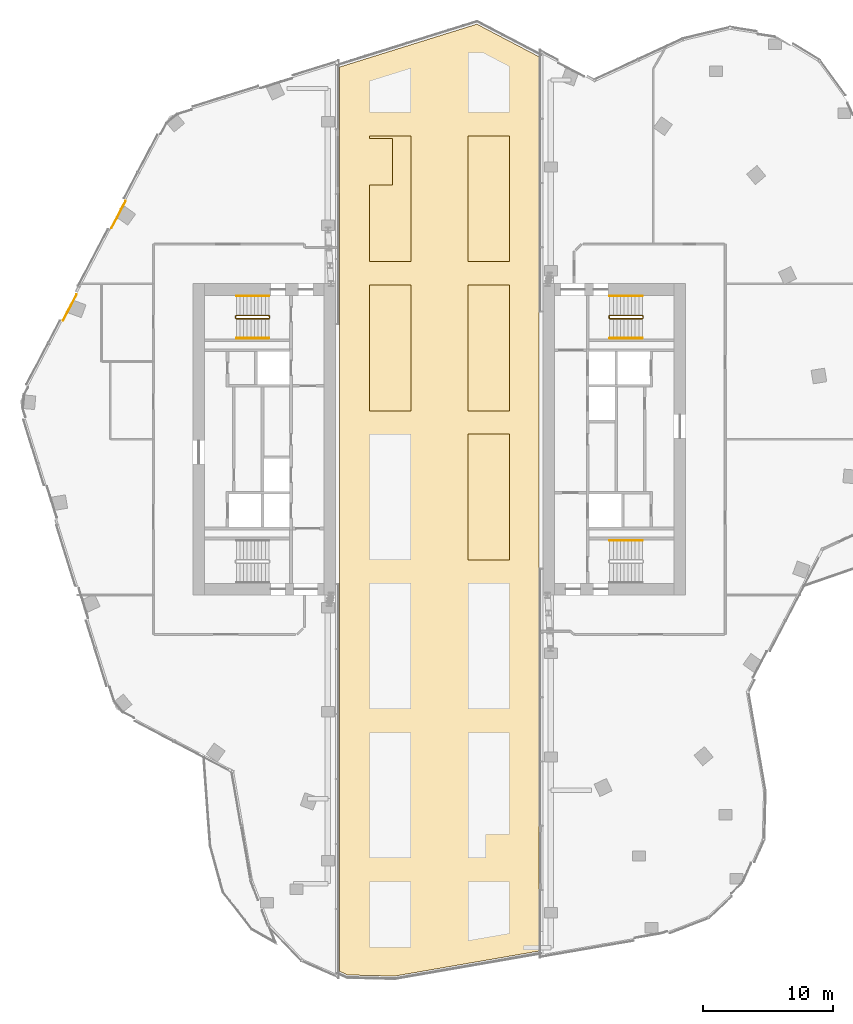
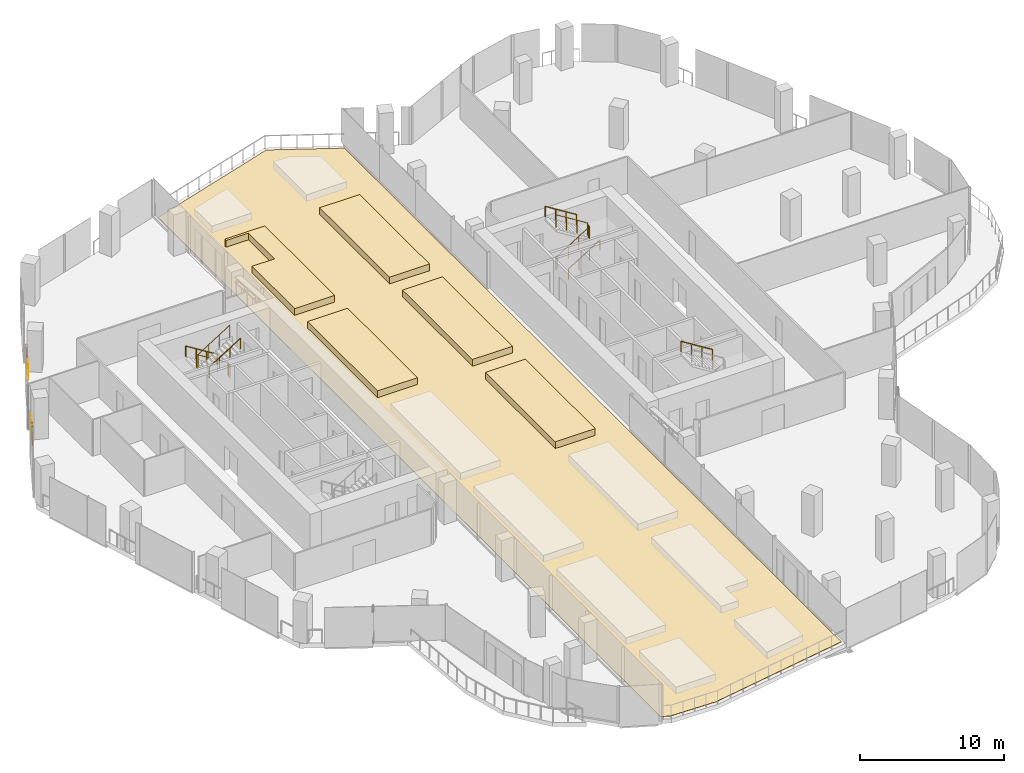
# One storey, part 24 of 26: 11 railings, 6 coverings.
"""IFC4 building model written with IfcOpenShell, lengths in metres."""

from ifc_helpers import new_model, si_unit, direction, frame, origin, origin_2d, place, context, subcontext, project, spatial, polyline, circle, outline, extrude, material, layer, layer_set, type_object, element, save


model = new_model("IFC4")

# Units and contexts
model_context = context("Model", 3, precision=1e-05, world=origin(), true_north=direction((0.0, 1.0)))
body_context = subcontext(model_context, "Body", "Model", "MODEL_VIEW")
ifc_project = project(units=[si_unit("LENGTHUNIT", "METRE"), si_unit("AREAUNIT", "SQUARE_METRE"), si_unit("VOLUMEUNIT", "CUBIC_METRE"), si_unit("PLANEANGLEUNIT", "RADIAN"), si_unit("MASSUNIT", "GRAM", prefix="KILO")], contexts=[model_context])

# Site, building, storey
site_placement = place(None, origin())
site = spatial("IfcSite", under=ifc_project, at=site_placement, CompositionType="ELEMENT")
building_placement = place(site_placement, origin())
building = spatial("IfcBuilding", under=site, at=building_placement, Name="Orlundy Tower", CompositionType="ELEMENT")
storey_placement = place(building_placement, frame((0.0, 0.0, 253.5)))
storey = spatial("IfcBuildingStorey", under=building, at=storey_placement, Name="L67", CompositionType="ELEMENT", Elevation=253.5)

# Coverings
ifc_material_1 = material(Name="Porcelain paving")
ifc_layer_1 = layer(ifc_material_1, 0.030029296875)
ifc_layer_set_1 = layer_set([ifc_layer_1], Name="Deck paving")
covering_type_1 = type_object("IfcCoveringType", Name="Deck paving", PredefinedType="FLOORING", material=ifc_layer_set_1)
covering_1_placement = place(storey_placement, origin())
element("IfcCovering", 1, at=covering_1_placement, inside=storey, type_object=covering_type_1, Name="Deck paving", PredefinedType="FLOORING", context=body_context, shape_type="SweptSolid", body=[
    extrude(outline(polyline([(7.699951171875, 29.498046875), (7.699951171875, -39.465087890625), (-3.450927734375, -41.39697265625), (-7.068115234375, -41.30908203125), (-7.699951171875, -41.028076171875), (-7.699951171875, 28.708984375), (2.89501953125, 32.01708984375), (7.699951171875, 29.498046875)])), origin(), (0.0, 0.0, 1.0), 0.030029296875),
])
ifc_material_2 = material(Name="Planted soil in precast concrete trough", Category="concrete")
ifc_layer_2 = layer(ifc_material_2, 0.60009765625)
ifc_layer_set_2 = layer_set([ifc_layer_2], Name="PLANTER box")
covering_type_2 = type_object("IfcCoveringType", Name="PLANTER box", PredefinedType="USERDEFINED", material=ifc_layer_set_2)
covering_2_placement = place(storey_placement, origin())
element("IfcCovering", 2, at=covering_2_placement, inside=storey, type_object=covering_type_2, Name="PLANTER L67-24", ObjectType="PLANTER", PredefinedType="USERDEFINED", context=body_context, shape_type="SweptSolid", body=[
    extrude(outline(polyline([(-5.39990234375, 11.902099609375), (-2.199951171875, 11.902099609375), (-2.199951171875, 2.201904296875), (-5.39990234375, 2.201904296875), (-5.39990234375, 11.902099609375)])), origin(), (0.0, 0.0, 1.0), 0.60009765625),
])
covering_3_placement = place(storey_placement, origin())
element("IfcCovering", 3, at=covering_3_placement, inside=storey, type_object=covering_type_2, Name="PLANTER L67-25", ObjectType="PLANTER", PredefinedType="USERDEFINED", context=body_context, shape_type="SweptSolid", body=[
    extrude(outline(polyline([(-5.39990234375, 19.614013671875), (-3.610107421875, 19.614013671875), (-3.610107421875, 23.214111328125), (-5.39990234375, 23.214111328125), (-5.39990234375, 23.402099609375), (-2.199951171875, 23.402099609375), (-2.199951171875, 13.701904296875), (-5.39990234375, 13.701904296875), (-5.39990234375, 19.614013671875)])), origin(), (0.0, 0.0, 1.0), 0.60009765625),
])
covering_4_placement = place(storey_placement, origin())
element("IfcCovering", 4, at=covering_4_placement, inside=storey, type_object=covering_type_2, Name="PLANTER L67-210", ObjectType="PLANTER", PredefinedType="USERDEFINED", context=body_context, shape_type="SweptSolid", body=[
    extrude(outline(polyline([(2.199951171875, 0.402099609375), (5.39990234375, 0.402099609375), (5.39990234375, -9.298095703125), (2.199951171875, -9.298095703125), (2.199951171875, 0.402099609375)])), origin(), (0.0, 0.0, 1.0), 0.60009765625),
])
covering_5_placement = place(storey_placement, origin())
element("IfcCovering", 5, at=covering_5_placement, inside=storey, type_object=covering_type_2, Name="PLANTER L67-211", ObjectType="PLANTER", PredefinedType="USERDEFINED", context=body_context, shape_type="SweptSolid", body=[
    extrude(outline(polyline([(2.199951171875, 11.902099609375), (5.39990234375, 11.902099609375), (5.39990234375, 2.201904296875), (2.199951171875, 2.201904296875), (2.199951171875, 11.902099609375)])), origin(), (0.0, 0.0, 1.0), 0.60009765625),
])
covering_6_placement = place(storey_placement, origin())
element("IfcCovering", 6, at=covering_6_placement, inside=storey, type_object=covering_type_2, Name="PLANTER L67-212", ObjectType="PLANTER", PredefinedType="USERDEFINED", context=body_context, shape_type="SweptSolid", body=[
    extrude(outline(polyline([(2.199951171875, 23.402099609375), (5.39990234375, 23.402099609375), (5.39990234375, 13.701904296875), (2.199951171875, 13.701904296875), (2.199951171875, 23.402099609375)])), origin(), (0.0, 0.0, 1.0), 0.60009765625),
])

# Railings
ifc_material_3 = material(Name="Steel balustrade", Category="steel")
railing_type_1 = type_object("IfcRailingType", Name="Stair Guard 1100", PredefinedType="GUARDRAIL", material=ifc_material_3)
railing_1_placement = place(storey_placement, frame((-13.090087890625, 9.5, 0.0)))
element("IfcRailing", 7, at=railing_1_placement, inside=storey, type_object=railing_type_1, Name="L67 ST-W1 stair guard 1", PredefinedType="GUARDRAIL", context=body_context, shape_type="SweptSolid", body=[
    extrude(circle(Radius=0.02392578125, at=origin_2d()), frame((0.0, 0.0, 1.076171875), z_axis=(0.0, -1.0, 0.0), x_axis=(1.0, 0.0, 0.0)), (0.0, 0.0, 1.0), 0.14990234375),
    extrude(circle(Radius=0.02392578125, at=origin_2d()), frame((0.0, -0.14990234375, 1.076171875), z_axis=(-0.18420542264, 0.739530593833, 0.647427882513), x_axis=(-0.970351222016, -0.241699205484, 0.0)), (0.0, 0.0, 1.0), 0.270263671875),
    extrude(circle(Radius=0.02392578125, at=origin_2d()), frame((-0.0498046875, 0.050048828125, 1.2509765625), z_axis=(-0.848007534815, 0.0, 0.529984170421), x_axis=(0.0, -1.0, 0.0)), (0.0, 0.0, 1.0), 2.9716796875),
    extrude(circle(Radius=0.02392578125, at=origin_2d()), frame((-2.56982421875, 0.050048828125, 2.826171875), z_axis=(-0.707106781187, -0.707106781187, 0.0), x_axis=(0.707106781187, -0.707106781187, 0.0)), (0.0, 0.0, 1.0), 0.07080078125),
    extrude(circle(Radius=0.02392578125, at=origin_2d()), frame((-2.619873046875, 0.0, 2.826171875), z_axis=(0.0, -1.0, 0.0), x_axis=(1.0, 0.0, 0.0)), (0.0, 0.0, 1.0), 0.14990234375),
    extrude(circle(Radius=0.02392578125, at=origin_2d()), frame((-2.619873046875, -0.14990234375, 2.826171875), z_axis=(0.265065253269, -0.265065253269, 0.927081885822), x_axis=(0.707106781187, 0.707106781187, 0.0)), (0.0, 0.0, 1.0), 0.188720703125),
    extrude(circle(Radius=0.02392578125, at=origin_2d()), frame((-2.56982421875, -0.199951171875, 3.0009765625), z_axis=(0.848007534815, 0.0, 0.529984170421), x_axis=(0.0, 1.0, 0.0)), (0.0, 0.0, 1.0), 2.9716796875),
    extrude(circle(Radius=0.02099609375, at=origin_2d()), origin(), (0.0, 0.0, 1.0), 1.052001953125),
    extrude(circle(Radius=0.02099609375, at=origin_2d()), frame((0.0, -0.14990234375, 0.0)), (0.0, 0.0, 1.0), 1.052001953125),
    extrude(circle(Radius=0.02099609375, at=origin_2d()), frame((-0.0498046875, 0.050048828125, 0.175048828125)), (0.0, 0.0, 1.0), 1.052001953125),
    extrude(circle(Radius=0.02099609375, at=origin_2d()), frame((-0.889892578125, 0.050048828125, 0.699951171875)), (0.0, 0.0, 1.0), 1.052001953125),
    extrude(circle(Radius=0.02099609375, at=origin_2d()), frame((-1.729736328125, 0.050048828125, 1.22509765625)), (0.0, 0.0, 1.0), 1.052001953125),
    extrude(circle(Radius=0.02099609375, at=origin_2d()), frame((-2.56982421875, 0.050048828125, 1.75)), (0.0, 0.0, 1.0), 1.052001953125),
    extrude(circle(Radius=0.02099609375, at=origin_2d()), frame((-2.619873046875, 0.0, 1.75)), (0.0, 0.0, 1.0), 1.052001953125),
    extrude(circle(Radius=0.02099609375, at=origin_2d()), frame((-2.619873046875, -0.14990234375, 1.75)), (0.0, 0.0, 1.0), 1.052001953125),
    extrude(circle(Radius=0.02099609375, at=origin_2d()), frame((-2.56982421875, -0.199951171875, 1.925048828125)), (0.0, 0.0, 1.0), 1.052001953125),
    extrude(circle(Radius=0.02099609375, at=origin_2d()), frame((-1.729736328125, -0.199951171875, 2.449951171875)), (0.0, 0.0, 1.0), 1.052001953125),
    extrude(circle(Radius=0.02099609375, at=origin_2d()), frame((-0.889892578125, -0.199951171875, 2.97509765625)), (0.0, 0.0, 1.0), 1.052001953125),
    extrude(circle(Radius=0.02099609375, at=origin_2d()), frame((-0.0498046875, -0.199951171875, 3.5)), (0.0, 0.0, 1.0), 1.052001953125),
])
railing_2_placement = place(storey_placement, frame((13.090087890625, 9.35009765625, 0.0)))
element("IfcRailing", 8, at=railing_2_placement, inside=storey, type_object=railing_type_1, Name="L67 ST-E2 stair guard 1", PredefinedType="GUARDRAIL", context=body_context, shape_type="SweptSolid", body=[
    extrude(circle(Radius=0.02392578125, at=origin_2d()), frame((0.0, 0.0, 1.076171875), z_axis=(0.0, 1.0, 0.0), x_axis=(-1.0, 0.0, 0.0)), (0.0, 0.0, 1.0), 0.14990234375),
    extrude(circle(Radius=0.02392578125, at=origin_2d()), frame((0.0, 0.14990234375, 1.076171875), z_axis=(0.18420542264, -0.739530593833, 0.647427882513), x_axis=(0.970351222016, 0.241699205484, 0.0)), (0.0, 0.0, 1.0), 0.270263671875),
    extrude(circle(Radius=0.02392578125, at=origin_2d()), frame((0.0498046875, -0.050048828125, 1.2509765625), z_axis=(0.848007534815, 0.0, 0.529984170421), x_axis=(0.0, 1.0, 0.0)), (0.0, 0.0, 1.0), 2.9716796875),
    extrude(circle(Radius=0.02392578125, at=origin_2d()), frame((2.56982421875, -0.050048828125, 2.826171875), z_axis=(0.707106781187, 0.707106781187, 0.0), x_axis=(-0.707106781187, 0.707106781187, 0.0)), (0.0, 0.0, 1.0), 0.07080078125),
    extrude(circle(Radius=0.02392578125, at=origin_2d()), frame((2.619873046875, 0.0, 2.826171875), z_axis=(0.0, 1.0, 0.0), x_axis=(-1.0, 0.0, 0.0)), (0.0, 0.0, 1.0), 0.14990234375),
    extrude(circle(Radius=0.02392578125, at=origin_2d()), frame((2.619873046875, 0.14990234375, 2.826171875), z_axis=(-0.265065253269, 0.265065253269, 0.927081885822), x_axis=(-0.707106781187, -0.707106781187, 0.0)), (0.0, 0.0, 1.0), 0.188720703125),
    extrude(circle(Radius=0.02392578125, at=origin_2d()), frame((2.56982421875, 0.199951171875, 3.0009765625), z_axis=(-0.848007534815, 0.0, 0.529984170421), x_axis=(0.0, -1.0, 0.0)), (0.0, 0.0, 1.0), 2.9716796875),
    extrude(circle(Radius=0.02099609375, at=origin_2d()), origin(), (0.0, 0.0, 1.0), 1.052001953125),
    extrude(circle(Radius=0.02099609375, at=origin_2d()), frame((0.0, 0.14990234375, 0.0)), (0.0, 0.0, 1.0), 1.052001953125),
    extrude(circle(Radius=0.02099609375, at=origin_2d()), frame((0.0498046875, -0.050048828125, 0.175048828125)), (0.0, 0.0, 1.0), 1.052001953125),
    extrude(circle(Radius=0.02099609375, at=origin_2d()), frame((0.889892578125, -0.050048828125, 0.699951171875)), (0.0, 0.0, 1.0), 1.052001953125),
    extrude(circle(Radius=0.02099609375, at=origin_2d()), frame((1.729736328125, -0.050048828125, 1.22509765625)), (0.0, 0.0, 1.0), 1.052001953125),
    extrude(circle(Radius=0.02099609375, at=origin_2d()), frame((2.56982421875, -0.050048828125, 1.75)), (0.0, 0.0, 1.0), 1.052001953125),
    extrude(circle(Radius=0.02099609375, at=origin_2d()), frame((2.619873046875, 0.0, 1.75)), (0.0, 0.0, 1.0), 1.052001953125),
    extrude(circle(Radius=0.02099609375, at=origin_2d()), frame((2.619873046875, 0.14990234375, 1.75)), (0.0, 0.0, 1.0), 1.052001953125),
    extrude(circle(Radius=0.02099609375, at=origin_2d()), frame((2.56982421875, 0.199951171875, 1.925048828125)), (0.0, 0.0, 1.0), 1.052001953125),
    extrude(circle(Radius=0.02099609375, at=origin_2d()), frame((1.729736328125, 0.199951171875, 2.449951171875)), (0.0, 0.0, 1.0), 1.052001953125),
    extrude(circle(Radius=0.02099609375, at=origin_2d()), frame((0.889892578125, 0.199951171875, 2.97509765625)), (0.0, 0.0, 1.0), 1.052001953125),
    extrude(circle(Radius=0.02099609375, at=origin_2d()), frame((0.0498046875, 0.199951171875, 3.5)), (0.0, 0.0, 1.0), 1.052001953125),
])
ifc_material_4 = material(Name="Steel handrail", Category="steel")
railing_type_2 = type_object("IfcRailingType", Name="Stair Handrail 900", PredefinedType="HANDRAIL", material=ifc_material_4)
railing_3_placement = place(storey_placement, frame((-13.139892578125, 11.050048828125, 0.175048828125)))
element("IfcRailing", 9, at=railing_3_placement, inside=storey, type_object=railing_type_2, Name="L67 ST-W1 stair handrail 1", PredefinedType="HANDRAIL", context=body_context, shape_type="SweptSolid", body=[
    extrude(circle(Radius=0.02392578125, at=origin_2d()), frame((0.0, 0.0, 0.8759765625), z_axis=(-0.848007534815, 0.0, 0.529984170421), x_axis=(0.0, -1.0, 0.0)), (0.0, 0.0, 1.0), 2.9716796875),
    extrude(circle(Radius=0.02099609375, at=origin_2d()), origin(), (0.0, 0.0, 1.0), 0.851806640625),
    extrude(circle(Radius=0.02099609375, at=origin_2d()), frame((-0.840087890625, 0.0, 0.52490234375)), (0.0, 0.0, 1.0), 0.851806640625),
    extrude(circle(Radius=0.02099609375, at=origin_2d()), frame((-1.679931640625, 0.0, 1.050048828125)), (0.0, 0.0, 1.0), 0.851806640625),
    extrude(circle(Radius=0.02099609375, at=origin_2d()), frame((-2.52001953125, 0.0, 1.574951171875)), (0.0, 0.0, 1.0), 0.851806640625),
])
railing_4_placement = place(storey_placement, frame((-15.659912109375, 7.800048828125, 1.925048828125)))
element("IfcRailing", 10, at=railing_4_placement, inside=storey, type_object=railing_type_2, Name="L67 ST-W1 stair handrail 2", PredefinedType="HANDRAIL", context=body_context, shape_type="SweptSolid", body=[
    extrude(circle(Radius=0.02392578125, at=origin_2d()), frame((0.0, 0.0, 0.8759765625), z_axis=(0.848007534815, 0.0, 0.529984170421), x_axis=(0.0, 1.0, 0.0)), (0.0, 0.0, 1.0), 2.9716796875),
    extrude(circle(Radius=0.02099609375, at=origin_2d()), origin(), (0.0, 0.0, 1.0), 0.851806640625),
    extrude(circle(Radius=0.02099609375, at=origin_2d()), frame((0.840087890625, 0.0, 0.52490234375)), (0.0, 0.0, 1.0), 0.851806640625),
    extrude(circle(Radius=0.02099609375, at=origin_2d()), frame((1.679931640625, 0.0, 1.050048828125)), (0.0, 0.0, 1.0), 0.851806640625),
    extrude(circle(Radius=0.02099609375, at=origin_2d()), frame((2.52001953125, 0.0, 1.574951171875)), (0.0, 0.0, 1.0), 0.851806640625),
])
railing_5_placement = place(storey_placement, frame((15.659912109375, -7.800048828125, 1.925048828125)))
element("IfcRailing", 11, at=railing_5_placement, inside=storey, type_object=railing_type_2, Name="L67 ST-E1 stair handrail 2", PredefinedType="HANDRAIL", context=body_context, shape_type="SweptSolid", body=[
    extrude(circle(Radius=0.02392578125, at=origin_2d()), frame((0.0, 0.0, 0.8759765625), z_axis=(-0.848007534815, 0.0, 0.529984170421), x_axis=(0.0, -1.0, 0.0)), (0.0, 0.0, 1.0), 2.9716796875),
    extrude(circle(Radius=0.02099609375, at=origin_2d()), origin(), (0.0, 0.0, 1.0), 0.851806640625),
    extrude(circle(Radius=0.02099609375, at=origin_2d()), frame((-0.840087890625, 0.0, 0.52490234375)), (0.0, 0.0, 1.0), 0.851806640625),
    extrude(circle(Radius=0.02099609375, at=origin_2d()), frame((-1.679931640625, 0.0, 1.050048828125)), (0.0, 0.0, 1.0), 0.851806640625),
    extrude(circle(Radius=0.02099609375, at=origin_2d()), frame((-2.52001953125, 0.0, 1.574951171875)), (0.0, 0.0, 1.0), 0.851806640625),
])
railing_6_placement = place(storey_placement, frame((13.139892578125, 7.800048828125, 0.175048828125)))
element("IfcRailing", 12, at=railing_6_placement, inside=storey, type_object=railing_type_2, Name="L67 ST-E2 stair handrail 1", PredefinedType="HANDRAIL", context=body_context, shape_type="SweptSolid", body=[
    extrude(circle(Radius=0.02392578125, at=origin_2d()), frame((0.0, 0.0, 0.8759765625), z_axis=(0.848007534815, 0.0, 0.529984170421), x_axis=(0.0, 1.0, 0.0)), (0.0, 0.0, 1.0), 2.9716796875),
    extrude(circle(Radius=0.02099609375, at=origin_2d()), origin(), (0.0, 0.0, 1.0), 0.851806640625),
    extrude(circle(Radius=0.02099609375, at=origin_2d()), frame((0.840087890625, 0.0, 0.52490234375)), (0.0, 0.0, 1.0), 0.851806640625),
    extrude(circle(Radius=0.02099609375, at=origin_2d()), frame((1.679931640625, 0.0, 1.050048828125)), (0.0, 0.0, 1.0), 0.851806640625),
    extrude(circle(Radius=0.02099609375, at=origin_2d()), frame((2.52001953125, 0.0, 1.574951171875)), (0.0, 0.0, 1.0), 0.851806640625),
])
railing_7_placement = place(storey_placement, frame((15.659912109375, 11.050048828125, 1.925048828125)))
element("IfcRailing", 13, at=railing_7_placement, inside=storey, type_object=railing_type_2, Name="L67 ST-E2 stair handrail 2", PredefinedType="HANDRAIL", context=body_context, shape_type="SweptSolid", body=[
    extrude(circle(Radius=0.02392578125, at=origin_2d()), frame((0.0, 0.0, 0.8759765625), z_axis=(-0.848007534815, 0.0, 0.529984170421), x_axis=(0.0, -1.0, 0.0)), (0.0, 0.0, 1.0), 2.9716796875),
    extrude(circle(Radius=0.02099609375, at=origin_2d()), origin(), (0.0, 0.0, 1.0), 0.851806640625),
    extrude(circle(Radius=0.02099609375, at=origin_2d()), frame((-0.840087890625, 0.0, 0.52490234375)), (0.0, 0.0, 1.0), 0.851806640625),
    extrude(circle(Radius=0.02099609375, at=origin_2d()), frame((-1.679931640625, 0.0, 1.050048828125)), (0.0, 0.0, 1.0), 0.851806640625),
    extrude(circle(Radius=0.02099609375, at=origin_2d()), frame((-2.52001953125, 0.0, 1.574951171875)), (0.0, 0.0, 1.0), 0.851806640625),
])
ifc_material_5 = material(Name="Stainless steel bronze finish", Category="steel")
railing_type_3 = type_object("IfcRailingType", Name="TG1 terrace guard", PredefinedType="GUARDRAIL", material=ifc_material_5)
railing_8_placement = place(storey_placement, frame((-24.8740234375, 17.078125, 0.0)))
element("IfcRailing", 14, at=railing_8_placement, inside=storey, type_object=railing_type_3, Name="Guard TG-L67-E03", PredefinedType="GUARDRAIL", context=body_context, shape_type="SweptSolid", body=[
    extrude(circle(Radius=0.02490234375, at=origin_2d()), frame((0.0, 0.0, 1.09521484375), z_axis=(0.464346191194, 0.885653778135, 0.0), x_axis=(-0.885653778135, 0.464346191194, 0.0)), (0.0, 0.0, 1.0), 1.4521484375),
    extrude(circle(Radius=0.02001953125, at=origin_2d()), origin(), (0.0, 0.0, 1.0), 1.070068359375),
    extrude(circle(Radius=0.02001953125, at=origin_2d()), frame((0.337158203125, 0.64306640625, 0.0)), (0.0, 0.0, 1.0), 1.070068359375),
    extrude(circle(Radius=0.02001953125, at=origin_2d()), frame((0.67431640625, 1.2861328125, 0.0)), (0.0, 0.0, 1.0), 1.070068359375),
])
railing_9_placement = place(storey_placement, frame((-28.419189453125, 10.31640625, 0.0)))
element("IfcRailing", 15, at=railing_9_placement, inside=storey, type_object=railing_type_3, Name="Guard TG-L67-E07", PredefinedType="GUARDRAIL", context=body_context, shape_type="SweptSolid", body=[
    extrude(circle(Radius=0.02490234375, at=origin_2d()), frame((0.0, 0.0, 1.09521484375), z_axis=(0.464270681708, 0.885693363476, 0.0), x_axis=(-0.885693363476, 0.464270681708, 0.0)), (0.0, 0.0, 1.0), 0.96875),
    extrude(circle(Radius=0.02001953125, at=origin_2d()), origin(), (0.0, 0.0, 1.0), 1.070068359375),
    extrude(circle(Radius=0.02001953125, at=origin_2d()), frame((0.44970703125, 0.85791015625, 0.0)), (0.0, 0.0, 1.0), 1.070068359375),
])
railing_10_placement = place(storey_placement, frame((-29.0185546875, 9.173095703125, 0.0)))
element("IfcRailing", 16, at=railing_10_placement, inside=storey, type_object=railing_type_3, Name="Guard TG-L67-E09", PredefinedType="GUARDRAIL", context=body_context, shape_type="SweptSolid", body=[
    extrude(circle(Radius=0.02490234375, at=origin_2d()), frame((0.0, 0.0, 1.09521484375), z_axis=(0.464303781675, 0.885676012051, 0.0), x_axis=(-0.885676012051, 0.464303781675, 0.0)), (0.0, 0.0, 1.0), 1.290771484375),
    extrude(circle(Radius=0.02001953125, at=origin_2d()), origin(), (0.0, 0.0, 1.0), 1.070068359375),
    extrude(circle(Radius=0.02001953125, at=origin_2d()), frame((0.2998046875, 0.57177734375, 0.0)), (0.0, 0.0, 1.0), 1.070068359375),
    extrude(circle(Radius=0.02001953125, at=origin_2d()), frame((0.599365234375, 1.143310546875, 0.0)), (0.0, 0.0, 1.0), 1.070068359375),
])
railing_11_placement = place(storey_placement, frame((-25.28759765625, 16.289306640625, 0.0)))
element("IfcRailing", 17, at=railing_11_placement, inside=storey, type_object=railing_type_3, Name="Guard TG-L67-E011", PredefinedType="GUARDRAIL", context=body_context, shape_type="SweptSolid", body=[
    extrude(circle(Radius=0.02490234375, at=origin_2d()), frame((0.0, 0.0, 1.09521484375), z_axis=(0.464344966772, 0.885654420095, 0.0), x_axis=(-0.885654420095, 0.464344966772, 0.0)), (0.0, 0.0, 1.0), 0.890625),
    extrude(circle(Radius=0.02001953125, at=origin_2d()), origin(), (0.0, 0.0, 1.0), 1.070068359375),
    extrude(circle(Radius=0.02001953125, at=origin_2d()), frame((0.41357421875, 0.788818359375, 0.0)), (0.0, 0.0, 1.0), 1.070068359375),
])

save(model, "model.ifc")
